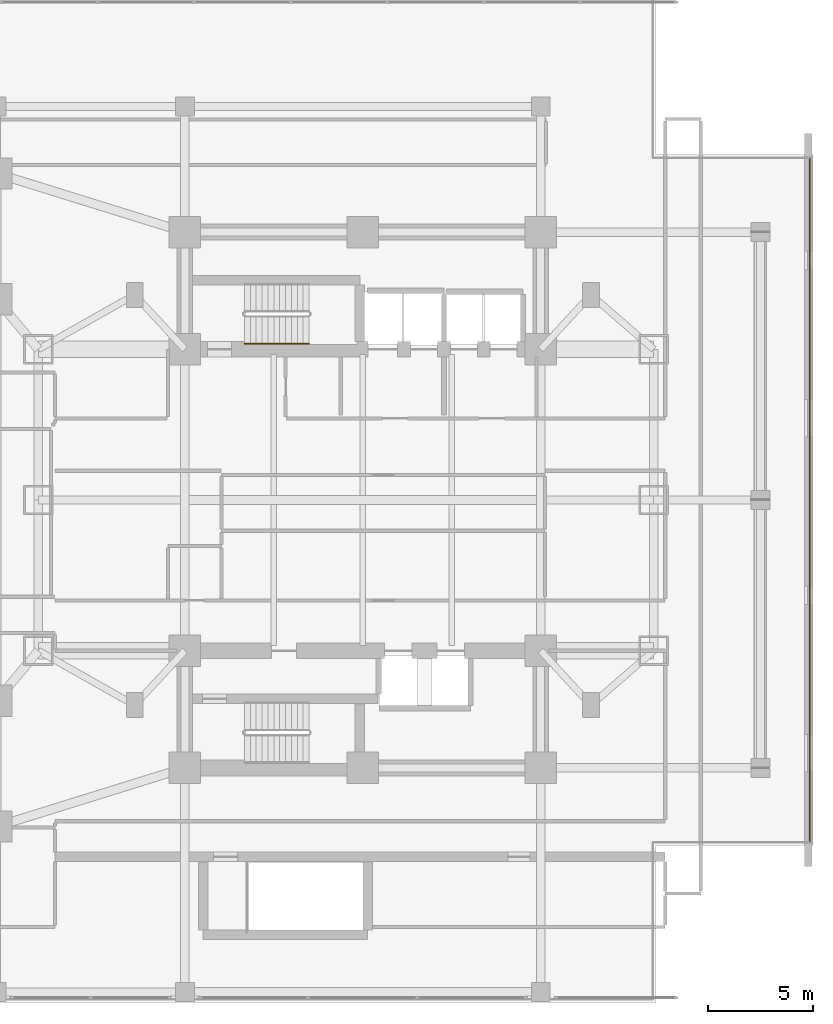
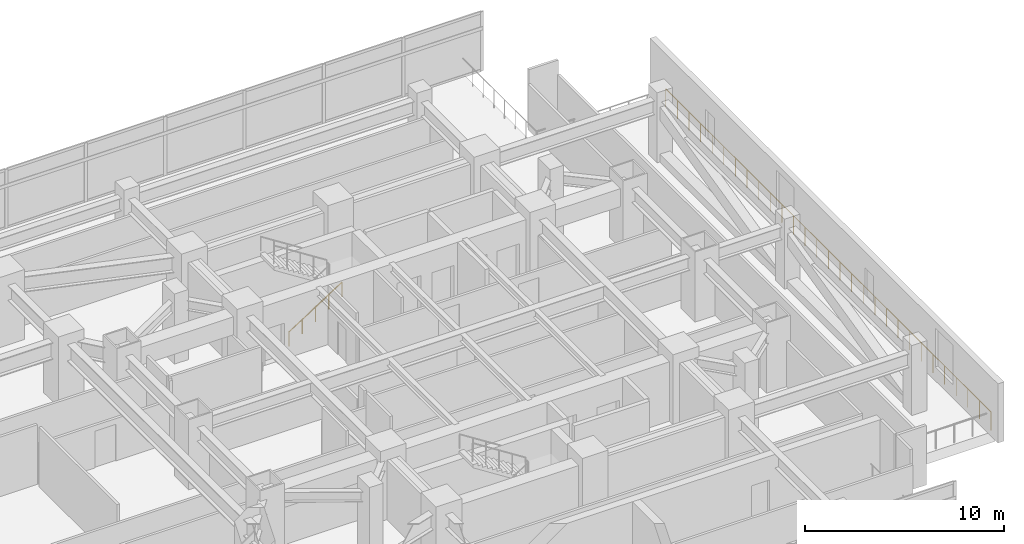
# One storey, part 26 of 27: 2 railings.
"""IFC4 building model written with IfcOpenShell, lengths in metres."""

from ifc_helpers import new_model, si_unit, direction, frame, origin, origin_2d, place, context, subcontext, project, spatial, circle, extrude, material, type_object, element, save


model = new_model("IFC4")

# Units and contexts
model_context = context("Model", 3, precision=1e-05, world=origin(), true_north=direction((0.0, 1.0)))
body_context = subcontext(model_context, "Body", "Model", "MODEL_VIEW")
ifc_project = project(units=[si_unit("LENGTHUNIT", "METRE"), si_unit("AREAUNIT", "SQUARE_METRE"), si_unit("VOLUMEUNIT", "CUBIC_METRE"), si_unit("PLANEANGLEUNIT", "RADIAN"), si_unit("MASSUNIT", "GRAM", prefix="KILO")], contexts=[model_context])

# Site, building, storey
site_placement = place(None, origin())
site = spatial("IfcSite", under=ifc_project, at=site_placement, CompositionType="ELEMENT")
building_placement = place(site_placement, origin())
building = spatial("IfcBuilding", under=site, at=building_placement, Name="Mirazonda Arch Towers", CompositionType="ELEMENT")
storey_placement = place(building_placement, frame((0.0, 0.0, 18.10009765625)))
storey = spatial("IfcBuildingStorey", under=building, at=storey_placement, Name="L04", CompositionType="ELEMENT", Elevation=18.10009765625)

# Railings
ifc_material = material(Name="Architectural Brushed Steel S355", Category="steel")
railing_type_1 = type_object("IfcRailingType", Name="GUARD-EXT-1150", PredefinedType="GUARDRAIL", material=ifc_material)
railing_1_placement = place(storey_placement, frame((97.860107421875, 11.639892578125, 0.0)))
element("IfcRailing", 1, at=railing_1_placement, inside=storey, type_object=railing_type_1, Name="L04 L04 Bridged Podium Perimeter Guard 04", PredefinedType="GUARDRAIL", context=body_context, shape_type="SweptSolid", body=[
    extrude(circle(Radius=0.02392578125, at=origin_2d()), frame((0.0, 0.0, 1.1259765625), z_axis=(0.0, 1.0, 0.0), x_axis=(-1.0, 0.0, 0.0)), (0.0, 0.0, 1.0), 32.72021484375),
    extrude(circle(Radius=0.02099609375, at=origin_2d()), origin(), (0.0, 0.0, 1.0), 1.101806640625),
    extrude(circle(Radius=0.02099609375, at=origin_2d()), frame((0.0, 1.16845703125, 0.0)), (0.0, 0.0, 1.0), 1.101806640625),
    extrude(circle(Radius=0.02099609375, at=origin_2d()), frame((0.0, 2.337158203125, 0.0)), (0.0, 0.0, 1.0), 1.101806640625),
    extrude(circle(Radius=0.02099609375, at=origin_2d()), frame((0.0, 3.505859375, 0.0)), (0.0, 0.0, 1.0), 1.101806640625),
    extrude(circle(Radius=0.02099609375, at=origin_2d()), frame((0.0, 4.67431640625, 0.0)), (0.0, 0.0, 1.0), 1.101806640625),
    extrude(circle(Radius=0.02099609375, at=origin_2d()), frame((0.0, 5.8427734375, 0.0)), (0.0, 0.0, 1.0), 1.101806640625),
    extrude(circle(Radius=0.02099609375, at=origin_2d()), frame((0.0, 7.011474609375, 0.0)), (0.0, 0.0, 1.0), 1.101806640625),
    extrude(circle(Radius=0.02099609375, at=origin_2d()), frame((0.0, 8.18017578125, 0.0)), (0.0, 0.0, 1.0), 1.101806640625),
    extrude(circle(Radius=0.02099609375, at=origin_2d()), frame((0.0, 9.3486328125, 0.0)), (0.0, 0.0, 1.0), 1.101806640625),
    extrude(circle(Radius=0.02099609375, at=origin_2d()), frame((0.0, 10.51708984375, 0.0)), (0.0, 0.0, 1.0), 1.101806640625),
    extrude(circle(Radius=0.02099609375, at=origin_2d()), frame((0.0, 11.685791015625, 0.0)), (0.0, 0.0, 1.0), 1.101806640625),
    extrude(circle(Radius=0.02099609375, at=origin_2d()), frame((0.0, 12.8544921875, 0.0)), (0.0, 0.0, 1.0), 1.101806640625),
    extrude(circle(Radius=0.02099609375, at=origin_2d()), frame((0.0, 14.02294921875, 0.0)), (0.0, 0.0, 1.0), 1.101806640625),
    extrude(circle(Radius=0.02099609375, at=origin_2d()), frame((0.0, 15.19140625, 0.0)), (0.0, 0.0, 1.0), 1.101806640625),
    extrude(circle(Radius=0.02099609375, at=origin_2d()), frame((0.0, 16.360107421875, 0.0)), (0.0, 0.0, 1.0), 1.101806640625),
    extrude(circle(Radius=0.02099609375, at=origin_2d()), frame((0.0, 17.52880859375, 0.0)), (0.0, 0.0, 1.0), 1.101806640625),
    extrude(circle(Radius=0.02099609375, at=origin_2d()), frame((0.0, 18.697265625, 0.0)), (0.0, 0.0, 1.0), 1.101806640625),
    extrude(circle(Radius=0.02099609375, at=origin_2d()), frame((0.0, 19.86572265625, 0.0)), (0.0, 0.0, 1.0), 1.101806640625),
    extrude(circle(Radius=0.02099609375, at=origin_2d()), frame((0.0, 21.034423828125, 0.0)), (0.0, 0.0, 1.0), 1.101806640625),
    extrude(circle(Radius=0.02099609375, at=origin_2d()), frame((0.0, 22.203125, 0.0)), (0.0, 0.0, 1.0), 1.101806640625),
    extrude(circle(Radius=0.02099609375, at=origin_2d()), frame((0.0, 23.37158203125, 0.0)), (0.0, 0.0, 1.0), 1.101806640625),
    extrude(circle(Radius=0.02099609375, at=origin_2d()), frame((0.0, 24.5400390625, 0.0)), (0.0, 0.0, 1.0), 1.101806640625),
    extrude(circle(Radius=0.02099609375, at=origin_2d()), frame((0.0, 25.708740234375, 0.0)), (0.0, 0.0, 1.0), 1.101806640625),
    extrude(circle(Radius=0.02099609375, at=origin_2d()), frame((0.0, 26.87744140625, 0.0)), (0.0, 0.0, 1.0), 1.101806640625),
    extrude(circle(Radius=0.02099609375, at=origin_2d()), frame((0.0, 28.0458984375, 0.0)), (0.0, 0.0, 1.0), 1.101806640625),
    extrude(circle(Radius=0.02099609375, at=origin_2d()), frame((0.0, 29.21435546875, 0.0)), (0.0, 0.0, 1.0), 1.101806640625),
    extrude(circle(Radius=0.02099609375, at=origin_2d()), frame((0.0, 30.383056640625, 0.0)), (0.0, 0.0, 1.0), 1.101806640625),
    extrude(circle(Radius=0.02099609375, at=origin_2d()), frame((0.0, 31.5517578125, 0.0)), (0.0, 0.0, 1.0), 1.101806640625),
    extrude(circle(Radius=0.02099609375, at=origin_2d()), frame((0.0, 32.72021484375, 0.0)), (0.0, 0.0, 1.0), 1.101806640625),
])
railing_type_2 = type_object("IfcRailingType", Name="HANDRAIL-915", PredefinedType="HANDRAIL", material=ifc_material)
railing_2_placement = place(storey_placement, frame((70.85009765625, 35.469970703125, 0.178955078125)))
element("IfcRailing", 2, at=railing_2_placement, inside=storey, type_object=railing_type_2, Name="L04 ST-T2N stair handrail 1", PredefinedType="HANDRAIL", context=body_context, shape_type="SweptSolid", body=[
    extrude(circle(Radius=0.02392578125, at=origin_2d()), frame((0.0, 0.0, 0.8759765625), z_axis=(0.842289589211, 0.0, 0.539025275759), x_axis=(0.0, 1.0, 0.0)), (0.0, 0.0, 1.0), 3.656494140625),
    extrude(circle(Radius=0.02099609375, at=origin_2d()), origin(), (0.0, 0.0, 1.0), 0.851806640625),
    extrude(circle(Radius=0.02099609375, at=origin_2d()), frame((0.77001953125, 0.0, 0.49267578125)), (0.0, 0.0, 1.0), 0.851806640625),
    extrude(circle(Radius=0.02099609375, at=origin_2d()), frame((1.5400390625, 0.0, 0.9853515625)), (0.0, 0.0, 1.0), 0.851806640625),
    extrude(circle(Radius=0.02099609375, at=origin_2d()), frame((2.309814453125, 0.0, 1.478271484375)), (0.0, 0.0, 1.0), 0.851806640625),
    extrude(circle(Radius=0.02099609375, at=origin_2d()), frame((3.079833984375, 0.0, 1.970947265625)), (0.0, 0.0, 1.0), 0.851806640625),
])

save(model, "model.ifc")
